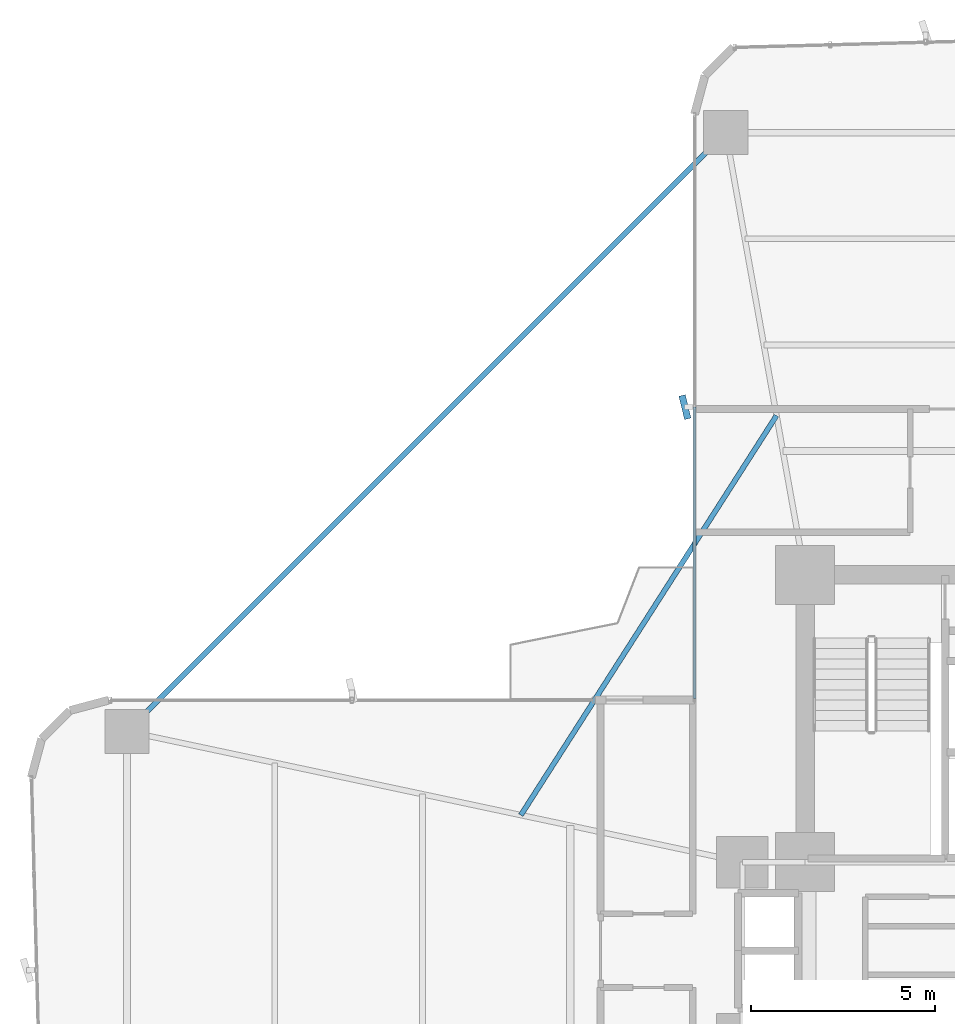
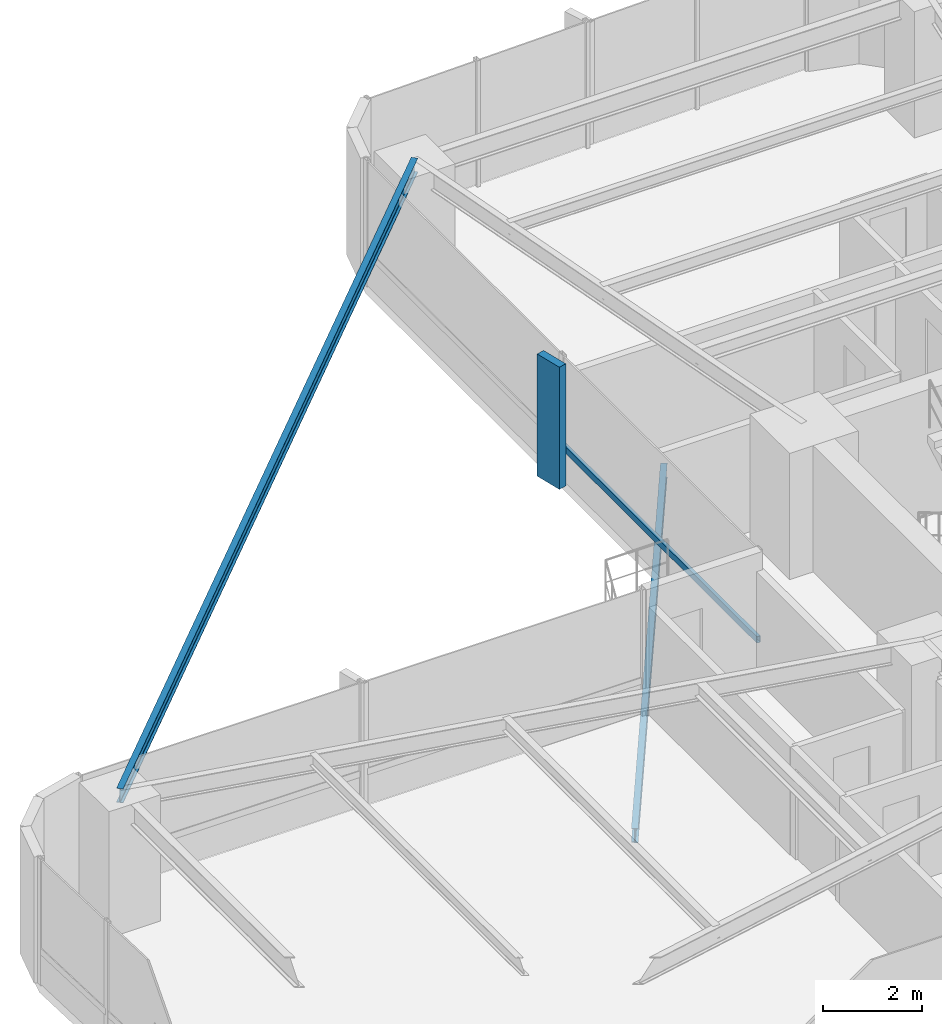
# One storey, part 17 of 25: 2 beams, 2 members, 1 element without a shape of its own.
"""IFC4 building model written with IfcOpenShell, lengths in metres."""

from ifc_helpers import new_model, si_unit, direction, frame, origin, origin_2d, place, context, subcontext, project, spatial, rectangle, hollow_rectangle, i_section, extrude, source, transform, mapped, material, material_profile, profile_set, type_object, element, aggregate, save


model = new_model("IFC4")

# Units and contexts
model_context = context("Model", 3, precision=1e-05, world=origin(), true_north=direction((0.0, 1.0)))
body_context = subcontext(model_context, "Body", "Model", "MODEL_VIEW")
ifc_project = project(units=[si_unit("LENGTHUNIT", "METRE"), si_unit("AREAUNIT", "SQUARE_METRE"), si_unit("VOLUMEUNIT", "CUBIC_METRE"), si_unit("PLANEANGLEUNIT", "RADIAN"), si_unit("MASSUNIT", "GRAM", prefix="KILO")], contexts=[model_context])

# Site, building, storey
site_placement = place(None, origin())
site = spatial("IfcSite", under=ifc_project, at=site_placement, CompositionType="ELEMENT")
building_placement = place(site_placement, origin())
building = spatial("IfcBuilding", under=site, at=building_placement, Name="Sahyath Konkavel Grand Hotel", CompositionType="ELEMENT")
storey_placement = place(building_placement, frame((0.0, 0.0, 39.85009765625)))
storey = spatial("IfcBuildingStorey", under=building, at=storey_placement, Name="L10", CompositionType="ELEMENT", Elevation=39.85009765625)

# Beam
ifc_material_1 = material(Name="Steel E350", Category="steel")
ifc_material_profile_1 = material_profile(ifc_material_1, i_section(OverallWidth=0.139892578125, OverallDepth=0.35009765625, WebThickness=0.008056640625, FlangeThickness=0.01416015625, FilletRadius=0.013916015625, at=origin_2d()), Name="ISMB 350")
ifc_profile_set_1 = profile_set([ifc_material_profile_1], Name="Steel E350")
beam_type_1 = type_object("IfcBeamType", Name="BM-ISMB350", PredefinedType="BEAM", material=ifc_profile_set_1)
shared_shape_1 = source(origin(), body_context, "Body", "SweptSolid", [
    extrude(i_section(OverallWidth=0.139892578125, OverallDepth=0.35009765625, WebThickness=0.008056640625, FlangeThickness=0.01416015625, FilletRadius=0.013916015625, at=origin_2d()), origin(), (0.0, 0.0, 1.0), 22.98095703125),
])
beam_1_placement = place(storey_placement, frame((-5.949951171875, 22.199951171875, 2.934814453125), z_axis=(-0.707106781187, -0.707106781187, 0.0), x_axis=(0.707106781187, -0.707106781187, 0.0)))
element("IfcBeam", 1, at=beam_1_placement, inside=storey, type_object=beam_type_1, Name="L10 Re-Entrant Tie Beam NW", PredefinedType="BEAM", context=body_context, shape_type="MappedRepresentation", body=[
    mapped(shared_shape_1, transform((0.0, 0.0, 0.0), scale=1.0)),
])

# Curtain wall, members
ifc_material_2 = material(Name="Anodised Bronze Aluminium & Low-E Glazing", Category="aluminium")
curtain_wall_type = type_object("IfcCurtainWallType", Name="CW-ZONE1", PredefinedType="NOTDEFINED", material=ifc_material_2)
curtain_wall_placement = place(storey_placement, origin())
curtain_wall = element("IfcCurtainWall", 2, at=curtain_wall_placement, inside=storey, type_object=curtain_wall_type, Name="L10 Unitised Curtain Wall F15", PredefinedType="NOTDEFINED")
ifc_material_3 = material(Name="Warm Buff Sandstone Cladding on Concrete C50/60", Category="masonry")
ifc_material_profile_2 = material_profile(ifc_material_3, rectangle(XDim=0.179931640625, YDim=0.64990234375, at=origin_2d()), Name="FIN 180x650")
ifc_profile_set_2 = profile_set([ifc_material_profile_2], Name="Warm Buff Sandstone Cladding on Concrete C50/60")
member_type_1 = type_object("IfcMemberType", Name="FIN-SANDSTONE-650", PredefinedType="MULLION", material=ifc_profile_set_2)
shared_shape_2 = source(origin(), body_context, "Body", "SweptSolid", [
    extrude(rectangle(XDim=0.179931640625, YDim=0.64990234375, at=origin_2d()), origin(), (0.0, 0.0, 1.0), 3.010009765625),
])
member_1_placement = place(storey_placement, frame((-7.06005859375, 14.75, 0.0498046875), z_axis=(0.0, 0.0, 1.0), x_axis=(0.971590441254, 0.236668575149, 0.0)))
member_1 = element("IfcMember", 3, at=member_1_placement, type_object=member_type_1, Name="L10 Sandstone Vertical Solar Fin FIN F15-1", PredefinedType="MULLION", context=body_context, shape_type="MappedRepresentation", body=[
    mapped(shared_shape_2, transform((0.0, 0.0, 0.0), scale=1.0)),
])
ifc_material_4 = material(Name="Anodised Bronze Aluminium", Category="aluminium")
ifc_material_profile_3 = material_profile(ifc_material_4, hollow_rectangle(XDim=0.080078125, YDim=0.159912109375, WallThickness=0.006103515625, at=origin_2d()), Name="RHS 160x80x6")
ifc_profile_set_3 = profile_set([ifc_material_profile_3], Name="Anodised Bronze Aluminium")
member_type_2 = type_object("IfcMemberType", Name="CW-TRN-160", PredefinedType="USERDEFINED", material=ifc_profile_set_3)
shared_shape_3 = source(origin(), body_context, "Body", "SweptSolid", [
    extrude(hollow_rectangle(XDim=0.080078125, YDim=0.159912109375, WallThickness=0.006103515625, at=origin_2d()), origin(), (0.0, 0.0, 1.0), 7.909912109375),
])
member_2_placement = place(storey_placement, frame((-6.800048828125, 14.75, 0.849853515625), z_axis=(0.0, -1.0, 0.0), x_axis=(1.0, 0.0, 0.0)))
member_2 = element("IfcMember", 4, at=member_2_placement, type_object=member_type_2, Name="L10 Curtain Wall Transom F15-1-spandrel", ObjectType="TRANSOM", PredefinedType="USERDEFINED", context=body_context, shape_type="MappedRepresentation", body=[
    mapped(shared_shape_3, transform((0.0, 0.0, 0.0), scale=1.0)),
])
aggregate(curtain_wall, [member_1, member_2])

# Beam
ifc_material_profile_4 = material_profile(ifc_material_1, i_section(OverallWidth=0.139892578125, OverallDepth=0.35009765625, WebThickness=0.008056640625, FlangeThickness=0.01416015625, FilletRadius=0.013916015625, at=origin_2d()), Name="ISMB 350")
ifc_profile_set_4 = profile_set([ifc_material_profile_4], Name="Steel E350")
beam_type_2 = type_object("IfcBeamType", Name="BM-BALC-CANT", PredefinedType="BEAM", material=ifc_profile_set_4)
shared_shape_4 = source(origin(), body_context, "Body", "SweptSolid", [
    extrude(i_section(OverallWidth=0.139892578125, OverallDepth=0.35009765625, WebThickness=0.008056640625, FlangeThickness=0.01416015625, FilletRadius=0.013916015625, at=origin_2d()), origin(), (0.0, 0.0, 1.0), 12.871826171875),
])
beam_2_placement = place(storey_placement, frame((-4.573974609375, 14.52001953125, -0.4150390625), z_axis=(-0.539003102535, -0.842303778608, 0.0), x_axis=(0.842303778608, -0.539003102535, 0.0)))
element("IfcBeam", 5, at=beam_2_placement, inside=storey, type_object=beam_type_2, Name="L10 Balcony Cantilever Support Beam NW", PredefinedType="BEAM", context=body_context, shape_type="MappedRepresentation", body=[
    mapped(shared_shape_4, transform((0.0, 0.0, 0.0), scale=1.0)),
])

save(model, "model.ifc")
